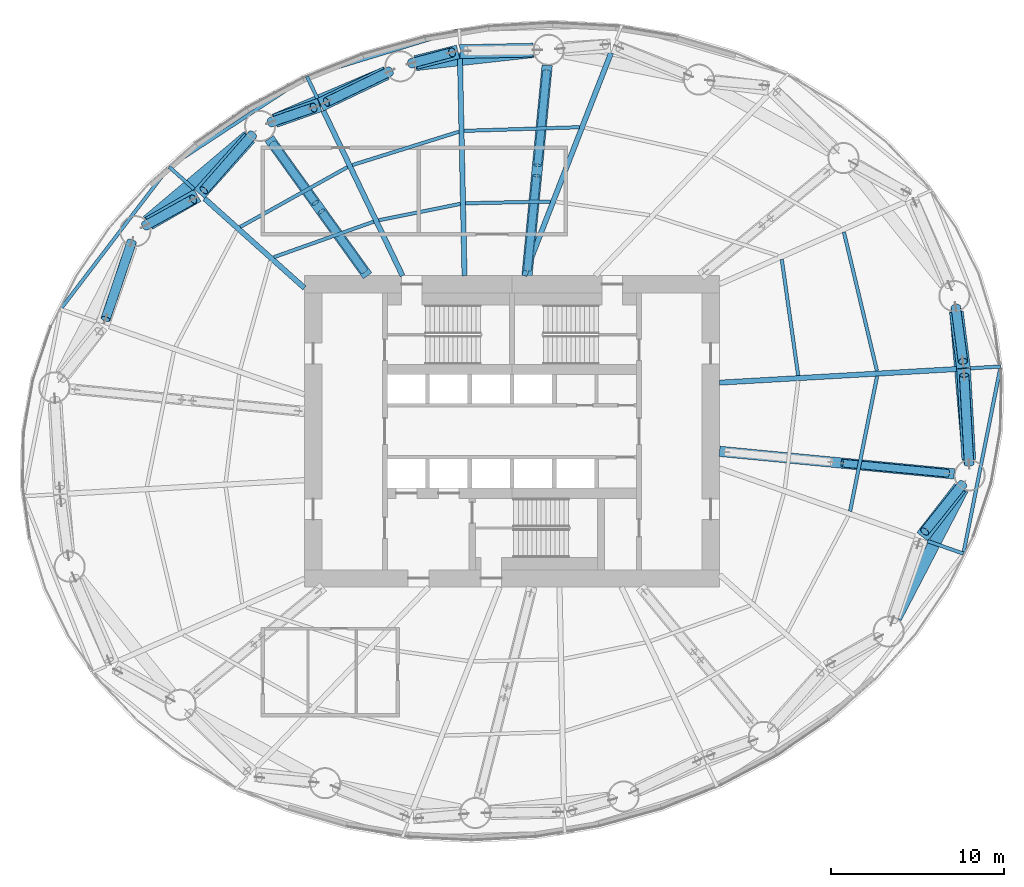
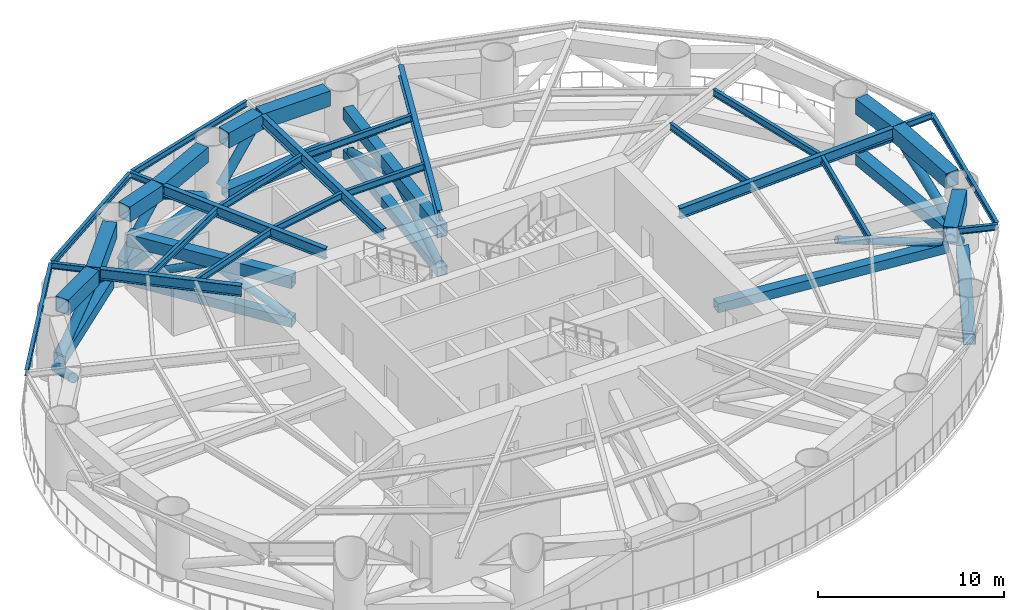
# One storey, part 3 of 15: 33 members, 22 beams.
"""IFC4 building model written with IfcOpenShell, lengths in metres."""

from ifc_helpers import new_model, si_unit, direction, frame, origin, origin_2d, place, context, subcontext, project, spatial, hollow_rectangle, hollow_circle, i_section, extrude, material, material_profile, profile_set, type_object, element, save


model = new_model("IFC4")

# Units and contexts
model_context = context("Model", 3, precision=1e-05, world=origin(), true_north=direction((0.0, 1.0)))
body_context = subcontext(model_context, "Body", "Model", "MODEL_VIEW")
ifc_project = project(units=[si_unit("LENGTHUNIT", "METRE"), si_unit("AREAUNIT", "SQUARE_METRE"), si_unit("VOLUMEUNIT", "CUBIC_METRE"), si_unit("PLANEANGLEUNIT", "RADIAN"), si_unit("MASSUNIT", "GRAM", prefix="KILO")], contexts=[model_context])

# Site, building, storey
site_placement = place(None, origin())
site = spatial("IfcSite", under=ifc_project, at=site_placement, CompositionType="ELEMENT")
building_placement = place(site_placement, origin())
building = spatial("IfcBuilding", under=site, at=building_placement, Name="Vermilion Reach Broadcast Tower", CompositionType="ELEMENT")
storey_placement = place(building_placement, frame((0.0, 0.0, 84.10009765625)))
storey = spatial("IfcBuildingStorey", under=building, at=storey_placement, Name="L18", CompositionType="ELEMENT", Elevation=84.10009765625)

# Members
ifc_material_1 = material(Name="Steel S460NL", Category="steel")
ifc_material_profile_1 = material_profile(ifc_material_1, hollow_rectangle(XDim=0.699951171875, YDim=0.699951171875, WallThickness=0.034912109375, at=origin_2d()), Name="S460NL BOX 700x700x35")
ifc_profile_set_1 = profile_set([ifc_material_profile_1], Name="Steel S460NL")
member_type_1 = type_object("IfcMemberType", Name="BT1-BC BOX 700x700x35", PredefinedType="CHORD", material=ifc_profile_set_1)
member_1_placement = place(storey_placement, frame((-4.77392578125, 21.964111328125, 0.349853515625), z_axis=(-0.993851439324, -0.110721798009, 0.0), x_axis=(0.110721798009, -0.993851439324, 0.0)))
element("IfcMember", 1, at=member_1_placement, inside=storey, type_object=member_type_1, Name="Belt truss bottom chord BT1-BC04", PredefinedType="CHORD", context=body_context, shape_type="SweptSolid", body=[
    extrude(hollow_rectangle(XDim=0.699951171875, YDim=0.699951171875, WallThickness=0.034912109375, at=origin_2d()), origin(), (0.0, 0.0, 1.0), 6.8310546875),
])
member_2_placement = place(storey_placement, frame((-13.28564453125, 20.755859375, 0.349853515625), z_axis=(-0.920220846584, -0.391399531825, 0.0), x_axis=(0.391399531825, -0.920220846584, 0.0)))
element("IfcMember", 2, at=member_2_placement, inside=storey, type_object=member_type_1, Name="Belt truss bottom chord BT1-BC05", PredefinedType="CHORD", context=body_context, shape_type="SweptSolid", body=[
    extrude(hollow_rectangle(XDim=0.699951171875, YDim=0.699951171875, WallThickness=0.034912109375, at=origin_2d()), origin(), (0.0, 0.0, 1.0), 7.008544921875),
])
member_3_placement = place(storey_placement, frame((-21.251220703125, 17.080322265625, 0.349853515625), z_axis=(-0.764512441084, -0.6446089725, 0.0), x_axis=(0.6446089725, -0.764512441084, 0.0)))
element("IfcMember", 3, at=member_3_placement, inside=storey, type_object=member_type_1, Name="Belt truss bottom chord BT1-BC06", PredefinedType="CHORD", context=body_context, shape_type="SweptSolid", body=[
    extrude(hollow_rectangle(XDim=0.699951171875, YDim=0.699951171875, WallThickness=0.034912109375, at=origin_2d()), origin(), (0.0, 0.0, 1.0), 7.6396484375),
])
member_4_placement = place(storey_placement, frame((16.194091796875, -10.776611328125, 0.349853515625), z_axis=(0.460411617218, 0.887705549566, 0.0), x_axis=(-0.887705549566, 0.460411617218, 0.0)))
element("IfcMember", 4, at=member_4_placement, inside=storey, type_object=member_type_1, Name="Belt truss bottom chord BT1-BC15", PredefinedType="CHORD", context=body_context, shape_type="SweptSolid", body=[
    extrude(hollow_rectangle(XDim=0.699951171875, YDim=0.699951171875, WallThickness=0.034912109375, at=origin_2d()), origin(), (0.0, 0.0, 1.0), 8.37451171875),
])
member_5_placement = place(storey_placement, frame((20.38720703125, -1.646728515625, 0.349853515625), z_axis=(-0.085395508608, 0.996347131832, 0.0), x_axis=(-0.996347131832, -0.085395508608, 0.0)))
element("IfcMember", 5, at=member_5_placement, inside=storey, type_object=member_type_1, Name="Belt truss bottom chord BT1-BC16", PredefinedType="CHORD", context=body_context, shape_type="SweptSolid", body=[
    extrude(hollow_rectangle(XDim=0.699951171875, YDim=0.699951171875, WallThickness=0.034912109375, at=origin_2d()), origin(), (0.0, 0.0, 1.0), 8.60546875),
])
ifc_material_2 = material(Name="Steel S355J2H", Category="steel")
ifc_material_profile_2 = material_profile(ifc_material_2, hollow_circle(Radius=0.279541015625, WallThickness=0.02490234375, at=origin_2d()), Name="S355J2H CHS 559x25")
ifc_profile_set_2 = profile_set([ifc_material_profile_2], Name="Steel S355J2H")
member_type_2 = type_object("IfcMemberType", Name="BT1-D CHS 559x25", PredefinedType="BRACE", material=ifc_profile_set_2)
member_6_placement = place(storey_placement, frame((-11.82958984375, 21.276611328125, 0.7998046875), z_axis=(0.670470909418, 0.179880751675, 0.719799746319), x_axis=(-0.259126298483, 0.965843445614, 0.0)))
element("IfcMember", 6, at=member_6_placement, inside=storey, type_object=member_type_2, Name="Belt truss diagonal BT1-D04B", PredefinedType="BRACE", context=body_context, shape_type="SweptSolid", body=[
    extrude(hollow_circle(Radius=0.279541015625, WallThickness=0.02490234375, at=origin_2d()), origin(), (0.0, 0.0, 1.0), 3.52880859375),
])
member_7_placement = place(storey_placement, frame((-13.04248046875, 20.82470703125, 0.7998046875), z_axis=(-0.764989537985, -0.37059718187, 0.526734027346), x_axis=(0.43598121747, -0.899955764476, 0.0)))
element("IfcMember", 7, at=member_7_placement, inside=storey, type_object=member_type_2, Name="Belt truss diagonal BT1-D05A", PredefinedType="BRACE", context=body_context, shape_type="SweptSolid", body=[
    extrude(hollow_circle(Radius=0.279541015625, WallThickness=0.02490234375, at=origin_2d()), origin(), (0.0, 0.0, 1.0), 4.822265625),
])
member_8_placement = place(storey_placement, frame((-19.948486328125, 17.87158203125, 0.7998046875), z_axis=(0.679369747183, 0.233610658071, 0.695616853626), x_axis=(-0.325176003768, 0.94565351296, 0.0)))
element("IfcMember", 8, at=member_8_placement, inside=storey, type_object=member_type_2, Name="Belt truss diagonal BT1-D05B", PredefinedType="BRACE", context=body_context, shape_type="SweptSolid", body=[
    extrude(hollow_circle(Radius=0.279541015625, WallThickness=0.02490234375, at=origin_2d()), origin(), (0.0, 0.0, 1.0), 3.651611328125),
])
member_9_placement = place(storey_placement, frame((-20.9912109375, 17.171142578125, 0.7998046875), z_axis=(-0.566834456131, -0.647636017785, 0.50918197907), x_axis=(0.752488623405, -0.658605247206, 0.0)))
element("IfcMember", 9, at=member_9_placement, inside=storey, type_object=member_type_2, Name="Belt truss diagonal BT1-D06A", PredefinedType="BRACE", context=body_context, shape_type="SweptSolid", body=[
    extrude(hollow_circle(Radius=0.279541015625, WallThickness=0.02490234375, at=origin_2d()), origin(), (0.0, 0.0, 1.0), 4.988525390625),
])
member_10_placement = place(storey_placement, frame((-27.210693359375, 11.889892578125, 0.7998046875), z_axis=(0.683675941007, 0.377438588085, 0.624601729034), x_axis=(-0.483311033101, 0.875448710824, 0.0)))
element("IfcMember", 10, at=member_10_placement, inside=storey, type_object=member_type_2, Name="Belt truss diagonal BT1-D06B", PredefinedType="BRACE", context=body_context, shape_type="SweptSolid", body=[
    extrude(hollow_circle(Radius=0.279541015625, WallThickness=0.02490234375, at=origin_2d()), origin(), (0.0, 0.0, 1.0), 4.066650390625),
])
member_11_placement = place(storey_placement, frame((-27.98779296875, 10.9599609375, 0.7998046875), z_axis=(-0.281685491613, -0.833736105056, 0.474907770983), x_axis=(0.947389095401, -0.320084210661, 0.0)))
element("IfcMember", 11, at=member_11_placement, inside=storey, type_object=member_type_2, Name="Belt truss diagonal BT1-D07A", PredefinedType="BRACE", context=body_context, shape_type="SweptSolid", body=[
    extrude(hollow_circle(Radius=0.279541015625, WallThickness=0.02490234375, at=origin_2d()), origin(), (0.0, 0.0, 1.0), 5.348388671875),
])
member_12_placement = place(storey_placement, frame((20.0576171875, -3.05078125, 0.7998046875), z_axis=(-0.506513804906, -0.632325298383, 0.586181270995), x_axis=(0.780475145905, -0.625186809381, 0.0)))
element("IfcMember", 12, at=member_12_placement, inside=storey, type_object=member_type_2, Name="Belt truss diagonal BT1-D15B", PredefinedType="BRACE", context=body_context, shape_type="SweptSolid", body=[
    extrude(hollow_circle(Radius=0.279541015625, WallThickness=0.02490234375, at=origin_2d()), origin(), (0.0, 0.0, 1.0), 4.333251953125),
])
member_13_placement = place(storey_placement, frame((20.42822265625, -1.89453125, 0.7998046875), z_axis=(-0.049658747066, 0.895473057106, 0.44233699013), x_axis=(-0.99846589108, -0.055370247877, 0.0)))
element("IfcMember", 13, at=member_13_placement, inside=storey, type_object=member_type_2, Name="Belt truss diagonal BT1-D16A", PredefinedType="BRACE", context=body_context, shape_type="SweptSolid", body=[
    extrude(hollow_circle(Radius=0.279541015625, WallThickness=0.02490234375, at=origin_2d()), origin(), (0.0, 0.0, 1.0), 5.742431640625),
])
member_14_placement = place(storey_placement, frame((19.660400390625, 7.1796875, 0.7998046875), z_axis=(0.102144749126, -0.772917338556, 0.626230978143), x_axis=(0.991380295991, 0.131015681201, 0.0)))
element("IfcMember", 14, at=member_14_placement, inside=storey, type_object=member_type_2, Name="Belt truss diagonal BT1-D16B", PredefinedType="BRACE", context=body_context, shape_type="SweptSolid", body=[
    extrude(hollow_circle(Radius=0.279541015625, WallThickness=0.02490234375, at=origin_2d()), origin(), (0.0, 0.0, 1.0), 4.05615234375),
])
ifc_material_3 = material(Name="Steel S460NL", Category="steel")
ifc_material_profile_3 = material_profile(ifc_material_3, hollow_rectangle(XDim=0.800048828125, YDim=1.0, WallThickness=0.0400390625, at=origin_2d()), Name="S460NL BOX 800x1000x40")
ifc_profile_set_3 = profile_set([ifc_material_profile_3], Name="Steel S460NL")
member_type_3 = type_object("IfcMemberType", Name="BT1-TC BOX 800x1000x40", PredefinedType="CHORD", material=ifc_profile_set_3)
member_15_placement = place(storey_placement, frame((-4.7890625, 22.044921875, 3.849853515625), z_axis=(-0.999782705863, -0.020845648424, 0.0), x_axis=(0.020845648424, -0.999782705863, 0.0)))
element("IfcMember", 15, at=member_15_placement, inside=storey, type_object=member_type_3, Name="Belt truss top chord BT1-TC07", PredefinedType="CHORD", context=body_context, shape_type="SweptSolid", body=[
    extrude(hollow_rectangle(XDim=0.800048828125, YDim=1.0, WallThickness=0.0400390625, at=origin_2d()), origin(), (0.0, 0.0, 1.0), 4.22802734375),
])
member_16_placement = place(storey_placement, frame((-9.11474609375, 21.943603515625, 3.849853515625), z_axis=(-0.970159490778, -0.242467652385, 0.0), x_axis=(0.242467652385, -0.970159490778, 0.0)))
element("IfcMember", 16, at=member_16_placement, inside=storey, type_object=member_type_3, Name="Belt truss top chord BT1-TC08", PredefinedType="CHORD", context=body_context, shape_type="SweptSolid", body=[
    extrude(hollow_rectangle(XDim=0.800048828125, YDim=1.0, WallThickness=0.0400390625, at=origin_2d()), origin(), (0.0, 0.0, 1.0), 2.535400390625),
])
member_17_placement = place(storey_placement, frame((-13.27783203125, 20.714599609375, 3.849853515625), z_axis=(-0.901599924003, -0.4325708925, 0.0), x_axis=(0.4325708925, -0.901599924003, 0.0)))
element("IfcMember", 17, at=member_17_placement, inside=storey, type_object=member_type_3, Name="Belt truss top chord BT1-TC09", PredefinedType="CHORD", context=body_context, shape_type="SweptSolid", body=[
    extrude(hollow_rectangle(XDim=0.800048828125, YDim=1.0, WallThickness=0.0400390625, at=origin_2d()), origin(), (0.0, 0.0, 1.0), 4.212158203125),
])
member_18_placement = place(storey_placement, frame((-17.124755859375, 18.872314453125, 3.849853515625), z_axis=(-0.943136863934, -0.332404656841, 0.0), x_axis=(0.332404656841, -0.943136863934, 0.0)))
element("IfcMember", 18, at=member_18_placement, inside=storey, type_object=member_type_3, Name="Belt truss top chord BT1-TC10", PredefinedType="CHORD", context=body_context, shape_type="SweptSolid", body=[
    extrude(hollow_rectangle(XDim=0.800048828125, YDim=1.0, WallThickness=0.0400390625, at=origin_2d()), origin(), (0.0, 0.0, 1.0), 2.73583984375),
])
member_19_placement = place(storey_placement, frame((-21.170166015625, 16.982421875, 3.849853515625), z_axis=(-0.667028891454, -0.745031850302, 0.0), x_axis=(0.745031850302, -0.667028891454, 0.0)))
element("IfcMember", 19, at=member_19_placement, inside=storey, type_object=member_type_3, Name="Belt truss top chord BT1-TC11", PredefinedType="CHORD", context=body_context, shape_type="SweptSolid", body=[
    extrude(hollow_rectangle(XDim=0.800048828125, YDim=1.0, WallThickness=0.0400390625, at=origin_2d()), origin(), (0.0, 0.0, 1.0), 4.35986328125),
])
member_20_placement = place(storey_placement, frame((-24.184326171875, 13.648193359375, 3.849853515625), z_axis=(-0.866363659243, -0.499413666156, 0.0), x_axis=(0.499413666156, -0.866363659243, 0.0)))
element("IfcMember", 20, at=member_20_placement, inside=storey, type_object=member_type_3, Name="Belt truss top chord BT1-TC12", PredefinedType="CHORD", context=body_context, shape_type="SweptSolid", body=[
    extrude(hollow_rectangle(XDim=0.800048828125, YDim=1.0, WallThickness=0.0400390625, at=origin_2d()), origin(), (0.0, 0.0, 1.0), 3.240234375),
])
member_21_placement = place(storey_placement, frame((17.721435546875, -6.09033203125, 3.849853515625), z_axis=(0.611729400158, 0.791067090064, 0.0), x_axis=(-0.791067090064, 0.611729400158, 0.0)))
element("IfcMember", 21, at=member_21_placement, inside=storey, type_object=member_type_3, Name="Belt truss top chord BT1-TC30", PredefinedType="CHORD", context=body_context, shape_type="SweptSolid", body=[
    extrude(hollow_rectangle(XDim=0.800048828125, YDim=1.0, WallThickness=0.0400390625, at=origin_2d()), origin(), (0.0, 0.0, 1.0), 3.573486328125),
])
member_22_placement = place(storey_placement, frame((20.412109375, -1.635009765625, 3.849853515625), z_axis=(-0.057342625161, 0.99835455793, 0.0), x_axis=(-0.99835455793, -0.057342625161, 0.0)))
element("IfcMember", 22, at=member_22_placement, inside=storey, type_object=member_type_3, Name="Belt truss top chord BT1-TC31", PredefinedType="CHORD", context=body_context, shape_type="SweptSolid", body=[
    extrude(hollow_rectangle(XDim=0.800048828125, YDim=1.0, WallThickness=0.0400390625, at=origin_2d()), origin(), (0.0, 0.0, 1.0), 5.27099609375),
])
member_23_placement = place(storey_placement, frame((20.1064453125, 3.664794921875, 3.849853515625), z_axis=(-0.126642784714, 0.991948388315, 0.0), x_axis=(-0.991948388315, -0.126642784714, 0.0)))
element("IfcMember", 23, at=member_23_placement, inside=storey, type_object=member_type_3, Name="Belt truss top chord BT1-TC32", PredefinedType="CHORD", context=body_context, shape_type="SweptSolid", body=[
    extrude(hollow_rectangle(XDim=0.800048828125, YDim=1.0, WallThickness=0.0400390625, at=origin_2d()), origin(), (0.0, 0.0, 1.0), 3.282958984375),
])

# Beams
ifc_material_4 = material(Name="Steel S355J2", Category="steel")
ifc_material_profile_4 = material_profile(ifc_material_4, i_section(OverallWidth=0.199951171875, OverallDepth=0.39990234375, WebThickness=0.008056640625, FlangeThickness=0.012939453125, at=origin_2d()), Name="S355J2 HN 400x200x8x13")
ifc_profile_set_4 = profile_set([ifc_material_profile_4], Name="Steel S355J2")
beam_type_1 = type_object("IfcBeamType", Name="EB2 HN 400x200x8x13", PredefinedType="BEAM", material=ifc_profile_set_4)
beam_1_placement = place(storey_placement, frame((-9.11669921875, 23.1787109375, 4.14990234375), z_axis=(-0.956574319511, -0.291488543947, 0.0), x_axis=(0.291488543947, -0.956574319511, 0.0)))
element("IfcBeam", 24, at=beam_1_placement, inside=storey, type_object=beam_type_1, Name="Edge beam EB2-04", PredefinedType="BEAM", context=body_context, shape_type="SweptSolid", body=[
    extrude(i_section(OverallWidth=0.199951171875, OverallDepth=0.39990234375, WebThickness=0.008056640625, FlangeThickness=0.012939453125, at=origin_2d()), origin(), (0.0, 0.0, 1.0), 9.033203125),
])
beam_2_placement = place(storey_placement, frame((-17.938720703125, 20.4609375, 4.14990234375), z_axis=(-0.836440015471, -0.548058482755, 0.0), x_axis=(0.548058482755, -0.836440015471, 0.0)))
element("IfcBeam", 25, at=beam_2_placement, inside=storey, type_object=beam_type_1, Name="Edge beam EB2-05", PredefinedType="BEAM", context=body_context, shape_type="SweptSolid", body=[
    extrude(i_section(OverallWidth=0.199951171875, OverallDepth=0.39990234375, WebThickness=0.008056640625, FlangeThickness=0.012939453125, at=origin_2d()), origin(), (0.0, 0.0, 1.0), 9.32177734375),
])
beam_3_placement = place(storey_placement, frame((-25.883056640625, 15.215576171875, 4.14990234375), z_axis=(-0.60654123634, -0.795052028875, 0.0), x_axis=(0.795052028875, -0.60654123634, 0.0)))
element("IfcBeam", 26, at=beam_3_placement, inside=storey, type_object=beam_type_1, Name="Edge beam EB2-06", PredefinedType="BEAM", context=body_context, shape_type="SweptSolid", body=[
    extrude(i_section(OverallWidth=0.199951171875, OverallDepth=0.39990234375, WebThickness=0.008056640625, FlangeThickness=0.012939453125, at=origin_2d()), origin(), (0.0, 0.0, 1.0), 10.14453125),
])
beam_4_placement = place(storey_placement, frame((20.11962890625, -6.967529296875, 4.14990234375), z_axis=(0.195053344977, 0.980792634869, 0.0), x_axis=(-0.980792634869, 0.195053344977, 0.0)))
element("IfcBeam", 27, at=beam_4_placement, inside=storey, type_object=beam_type_1, Name="Edge beam EB2-15", PredefinedType="BEAM", context=body_context, shape_type="SweptSolid", body=[
    extrude(i_section(OverallWidth=0.199951171875, OverallDepth=0.39990234375, WebThickness=0.008056640625, FlangeThickness=0.012939453125, at=origin_2d()), origin(), (0.0, 0.0, 1.0), 10.824462890625),
])
ifc_material_5 = material(Name="Steel S355J2", Category="steel")
ifc_material_profile_5 = material_profile(ifc_material_5, i_section(OverallWidth=0.300048828125, OverallDepth=0.699951171875, WebThickness=0.012939453125, FlangeThickness=0.02392578125, at=origin_2d()), Name="S355J2 HN 700x300x13x24")
ifc_profile_set_5 = profile_set([ifc_material_profile_5], Name="Steel S355J2")
beam_type_2 = type_object("IfcBeamType", Name="G2 HN 700x300x13x24", PredefinedType="BEAM", material=ifc_profile_set_5)
beam_5_placement = place(storey_placement, frame((-5.2890625, 9.0, 4.0), z_axis=(0.362782729277, 0.931873752897, 0.0), x_axis=(-0.931873752897, 0.362782729277, 0.0)))
element("IfcBeam", 28, at=beam_5_placement, inside=storey, type_object=beam_type_2, Name="Girder G2-03", PredefinedType="BEAM", context=body_context, shape_type="SweptSolid", body=[
    extrude(i_section(OverallWidth=0.300048828125, OverallDepth=0.699951171875, WebThickness=0.012939453125, FlangeThickness=0.02392578125, at=origin_2d()), origin(), (0.0, 0.0, 1.0), 13.830078125),
])
beam_6_placement = place(storey_placement, frame((-8.745849609375, 9.0, 4.0), z_axis=(-0.02085755404, 0.999782457557, 0.0), x_axis=(-0.999782457557, -0.02085755404, 0.0)))
element("IfcBeam", 29, at=beam_6_placement, inside=storey, type_object=beam_type_2, Name="Girder G2-04", PredefinedType="BEAM", context=body_context, shape_type="SweptSolid", body=[
    extrude(i_section(OverallWidth=0.300048828125, OverallDepth=0.699951171875, WebThickness=0.012939453125, FlangeThickness=0.02392578125, at=origin_2d()), origin(), (0.0, 0.0, 1.0), 12.5595703125),
])
beam_7_placement = place(storey_placement, frame((-12.329833984375, 9.0, 4.0), z_axis=(-0.432531358319, 0.901618890702, 0.0), x_axis=(-0.901618890702, -0.432531358319, 0.0)))
element("IfcBeam", 30, at=beam_7_placement, inside=storey, type_object=beam_type_2, Name="Girder G2-05", PredefinedType="BEAM", context=body_context, shape_type="SweptSolid", body=[
    extrude(i_section(OverallWidth=0.300048828125, OverallDepth=0.699951171875, WebThickness=0.012939453125, FlangeThickness=0.02392578125, at=origin_2d()), origin(), (0.0, 0.0, 1.0), 10.572021484375),
])
beam_8_placement = place(storey_placement, frame((-18.0, 8.2919921875, 4.0), z_axis=(-0.745033065575, 0.667027534065, 0.0), x_axis=(-0.667027534065, -0.745033065575, 0.0)))
element("IfcBeam", 31, at=beam_8_placement, inside=storey, type_object=beam_type_2, Name="Girder G2-06", PredefinedType="BEAM", context=body_context, shape_type="SweptSolid", body=[
    extrude(i_section(OverallWidth=0.300048828125, OverallDepth=0.699951171875, WebThickness=0.012939453125, FlangeThickness=0.02392578125, at=origin_2d()), origin(), (0.0, 0.0, 1.0), 7.7587890625),
])
beam_9_placement = place(storey_placement, frame((6.0, 2.8173828125, 4.0), z_axis=(0.998357215191, 0.057296342609, 0.0), x_axis=(-0.057296342609, 0.998357215191, 0.0)))
element("IfcBeam", 32, at=beam_9_placement, inside=storey, type_object=beam_type_2, Name="Girder G2-16", PredefinedType="BEAM", context=body_context, shape_type="SweptSolid", body=[
    extrude(i_section(OverallWidth=0.300048828125, OverallDepth=0.699951171875, WebThickness=0.012939453125, FlangeThickness=0.02392578125, at=origin_2d()), origin(), (0.0, 0.0, 1.0), 13.733154296875),
])
ifc_material_6 = material(Name="Steel S355J2", Category="steel")
ifc_material_profile_6 = material_profile(ifc_material_6, i_section(OverallWidth=0.199951171875, OverallDepth=0.39990234375, WebThickness=0.008056640625, FlangeThickness=0.012939453125, at=origin_2d()), Name="S355J2 HN 400x200x8x13")
ifc_profile_set_6 = profile_set([ifc_material_profile_6], Name="Steel S355J2")
beam_type_3 = type_object("IfcBeamType", Name="GC2 HN 400x200x8x13", PredefinedType="BEAM", material=ifc_profile_set_6)
beam_10_placement = place(storey_placement, frame((-17.24853515625, 19.253173828125, 4.14990234375), z_axis=(-0.432583743936, 0.90159375801, 0.0), x_axis=(-0.90159375801, -0.432583743936, 0.0)))
element("IfcBeam", 33, at=beam_10_placement, inside=storey, type_object=beam_type_3, Name="Cantilever girder GC2-05", PredefinedType="BEAM", context=body_context, shape_type="SweptSolid", body=[
    extrude(i_section(OverallWidth=0.199951171875, OverallDepth=0.39990234375, WebThickness=0.008056640625, FlangeThickness=0.012939453125, at=origin_2d()), origin(), (0.0, 0.0, 1.0), 1.40087890625),
])
beam_11_placement = place(storey_placement, frame((-24.37646484375, 14.0009765625, 4.14990234375), z_axis=(-0.745030694334, 0.6670301826, 0.0), x_axis=(-0.6670301826, -0.745030694334, 0.0)))
element("IfcBeam", 34, at=beam_11_placement, inside=storey, type_object=beam_type_3, Name="Cantilever girder GC2-06", PredefinedType="BEAM", context=body_context, shape_type="SweptSolid", body=[
    extrude(i_section(OverallWidth=0.199951171875, OverallDepth=0.39990234375, WebThickness=0.008056640625, FlangeThickness=0.012939453125, at=origin_2d()), origin(), (0.0, 0.0, 1.0), 1.940673828125),
])
beam_12_placement = place(storey_placement, frame((18.033203125, -6.34375, 4.14990234375), z_axis=(0.943931340086, -0.330141825891, 0.0), x_axis=(0.330141825891, 0.943931340086, 0.0)))
element("IfcBeam", 35, at=beam_12_placement, inside=storey, type_object=beam_type_3, Name="Cantilever girder GC2-15", PredefinedType="BEAM", context=body_context, shape_type="SweptSolid", body=[
    extrude(i_section(OverallWidth=0.199951171875, OverallDepth=0.39990234375, WebThickness=0.008056640625, FlangeThickness=0.012939453125, at=origin_2d()), origin(), (0.0, 0.0, 1.0), 2.189697265625),
])
beam_13_placement = place(storey_placement, frame((20.50927734375, 3.650146484375, 4.14990234375), z_axis=(0.998353067309, 0.057368571492, 0.0), x_axis=(-0.057368571492, 0.998353067309, 0.0)))
element("IfcBeam", 36, at=beam_13_placement, inside=storey, type_object=beam_type_3, Name="Cantilever girder GC2-16", PredefinedType="BEAM", context=body_context, shape_type="SweptSolid", body=[
    extrude(i_section(OverallWidth=0.199951171875, OverallDepth=0.39990234375, WebThickness=0.008056640625, FlangeThickness=0.012939453125, at=origin_2d()), origin(), (0.0, 0.0, 1.0), 1.744873046875),
])

# Members
ifc_material_7 = material(Name="Steel S460NL", Category="steel")
ifc_material_profile_7 = material_profile(ifc_material_7, hollow_rectangle(XDim=0.60009765625, YDim=0.60009765625, WallThickness=0.030029296875, at=origin_2d()), Name="S460NL BOX 600x600x30")
ifc_profile_set_7 = profile_set([ifc_material_profile_7], Name="Steel S460NL")
member_type_4 = type_object("IfcMemberType", Name="OR1-BC BOX 600x600x30", PredefinedType="CHORD", material=ifc_profile_set_7)
member_24_placement = place(storey_placement, frame((-5.135009765625, 9.0, 0.2998046875), z_axis=(0.09566673912, 0.995413419151, 0.0), x_axis=(-0.995413419151, 0.09566673912, 0.0)))
element("IfcMember", 37, at=member_24_placement, inside=storey, type_object=member_type_4, Name="Outrigger bottom chord OR1-04", PredefinedType="CHORD", context=body_context, shape_type="SweptSolid", body=[
    extrude(hollow_rectangle(XDim=0.60009765625, YDim=0.60009765625, WallThickness=0.030029296875, at=origin_2d()), origin(), (0.0, 0.0, 1.0), 12.22412109375),
])
member_25_placement = place(storey_placement, frame((-14.35009765625, 9.0, 0.2998046875), z_axis=(-0.582917211268, 0.812531553115, 0.0), x_axis=(-0.812531553115, -0.582917211268, 0.0)))
element("IfcMember", 38, at=member_25_placement, inside=storey, type_object=member_type_4, Name="Outrigger bottom chord OR1-06", PredefinedType="CHORD", context=body_context, shape_type="SweptSolid", body=[
    extrude(hollow_rectangle(XDim=0.60009765625, YDim=0.60009765625, WallThickness=0.030029296875, at=origin_2d()), origin(), (0.0, 0.0, 1.0), 9.758544921875),
])
member_26_placement = place(storey_placement, frame((6.0, -1.1533203125, 0.2998046875), z_axis=(0.995412178872, -0.095679643363, 0.0), x_axis=(0.095679643363, 0.995412178872, 0.0)))
element("IfcMember", 39, at=member_26_placement, inside=storey, type_object=member_type_4, Name="Outrigger bottom chord OR1-16", PredefinedType="CHORD", context=body_context, shape_type="SweptSolid", body=[
    extrude(hollow_rectangle(XDim=0.60009765625, YDim=0.60009765625, WallThickness=0.030029296875, at=origin_2d()), origin(), (0.0, 0.0, 1.0), 13.630859375),
])
ifc_material_8 = material(Name="Steel S355J2H", Category="steel")
ifc_material_profile_8 = material_profile(ifc_material_8, hollow_circle(Radius=0.228515625, WallThickness=0.02001953125, at=origin_2d()), Name="S355J2H CHS 457x20")
ifc_profile_set_8 = profile_set([ifc_material_profile_8], Name="Steel S355J2H")
member_type_5 = type_object("IfcMemberType", Name="OR1-D CHS 457x20", PredefinedType="BRACE", material=ifc_profile_set_8)
for number, where, z_axis, x_axis, name in (
    (40, (-5.1015625, 9.348388671875, 0.599853515625), (0.090126084202, 0.937462818857, 0.336215336067), (-0.995410503062, 0.095697076204, 0.0), "Outrigger diagonal OR1-04-DA"),
    (41, (-3.9990234375, 20.819580078125, 0.599853515625), (-0.09008433057, -0.937466374674, 0.336216611339), (0.995414759872, -0.095652787882, 0.0), "Outrigger diagonal OR1-04-DB"),
):
    element("IfcMember", number, at=place(storey_placement, frame(where, z_axis=z_axis, x_axis=x_axis)), inside=storey, type_object=member_type_5, Name=name, PredefinedType="BRACE", context=body_context, shape_type="SweptSolid", body=[
        extrude(hollow_circle(Radius=0.228515625, WallThickness=0.02001953125, at=origin_2d()), origin(), (0.0, 0.0, 1.0), 5.7998046875),
    ])
for number, where, z_axis, x_axis, name in (
    (42, (-14.553955078125, 9.284423828125, 0.599853515625), (-0.529413177318, 0.737844387637, 0.41869720242), (-0.812491292835, -0.582973326205, 0.0), "Outrigger diagonal OR1-06-DA"),
    (43, (-19.83447265625, 16.644775390625, 0.599853515625), (0.529354969587, -0.737888745485, 0.41869262647), (0.81253825063, 0.582907875452, 0.0), "Outrigger diagonal OR1-06-DB"),
):
    element("IfcMember", number, at=place(storey_placement, frame(where, z_axis=z_axis, x_axis=x_axis)), inside=storey, type_object=member_type_5, Name=name, PredefinedType="BRACE", context=body_context, shape_type="SweptSolid", body=[
        extrude(hollow_circle(Radius=0.228515625, WallThickness=0.02001953125, at=origin_2d()), origin(), (0.0, 0.0, 1.0), 4.6572265625),
    ])
member_27_placement = place(storey_placement, frame((19.219970703125, -2.424072265625, 0.599853515625), z_axis=(-0.949074811329, 0.091252837098, 0.301545887425), x_axis=(-0.095707879522, -0.99540946439, 0.0)))
element("IfcMember", 44, at=member_27_placement, inside=storey, type_object=member_type_5, Name="Outrigger diagonal OR1-16-DB", PredefinedType="BRACE", context=body_context, shape_type="SweptSolid", body=[
    extrude(hollow_circle(Radius=0.228515625, WallThickness=0.02001953125, at=origin_2d()), origin(), (0.0, 0.0, 1.0), 6.466552734375),
])
ifc_material_9 = material(Name="Steel S460NL", Category="steel")
ifc_material_profile_9 = material_profile(ifc_material_9, hollow_rectangle(XDim=0.60009765625, YDim=0.800048828125, WallThickness=0.030029296875, at=origin_2d()), Name="S460NL BOX 600x800x30")
ifc_profile_set_9 = profile_set([ifc_material_profile_9], Name="Steel S460NL")
member_type_6 = type_object("IfcMemberType", Name="OR1-TC BOX 600x800x30", PredefinedType="CHORD", material=ifc_profile_set_9)
member_28_placement = place(storey_placement, frame((-5.135009765625, 9.0, 2.949951171875), z_axis=(0.09566673912, 0.995413419151, 0.0), x_axis=(-0.995413419151, 0.09566673912, 0.0)))
element("IfcMember", 45, at=member_28_placement, inside=storey, type_object=member_type_6, Name="Outrigger top chord OR1-04", PredefinedType="CHORD", context=body_context, shape_type="SweptSolid", body=[
    extrude(hollow_rectangle(XDim=0.60009765625, YDim=0.800048828125, WallThickness=0.030029296875, at=origin_2d()), origin(), (0.0, 0.0, 1.0), 12.22412109375),
])
member_29_placement = place(storey_placement, frame((-14.35009765625, 9.0, 2.949951171875), z_axis=(-0.582917211268, 0.812531553115, 0.0), x_axis=(-0.812531553115, -0.582917211268, 0.0)))
element("IfcMember", 46, at=member_29_placement, inside=storey, type_object=member_type_6, Name="Outrigger top chord OR1-06", PredefinedType="CHORD", context=body_context, shape_type="SweptSolid", body=[
    extrude(hollow_rectangle(XDim=0.60009765625, YDim=0.800048828125, WallThickness=0.030029296875, at=origin_2d()), origin(), (0.0, 0.0, 1.0), 9.758544921875),
])

# Beams
ifc_material_10 = material(Name="Steel S355J2", Category="steel")
ifc_material_profile_10 = material_profile(ifc_material_10, i_section(OverallWidth=0.199951171875, OverallDepth=0.449951171875, WebThickness=0.009033203125, FlangeThickness=0.013916015625, at=origin_2d()), Name="S355J2 HN 450x200x9x14")
ifc_profile_set_10 = profile_set([ifc_material_profile_10], Name="Steel S355J2")
beam_type_4 = type_object("IfcBeamType", Name="SB2 HN 450x200x9x14", PredefinedType="BEAM", material=ifc_profile_set_10)
beam_14_placement = place(storey_placement, frame((-3.77880859375, 13.29248046875, 4.125), z_axis=(-0.999776289961, -0.021151123661, 0.0), x_axis=(0.021151123661, -0.999776289961, 0.0)))
element("IfcBeam", 47, at=beam_14_placement, inside=storey, type_object=beam_type_4, Name="Secondary beam SB2-03-1", PredefinedType="BEAM", context=body_context, shape_type="SweptSolid", body=[
    extrude(i_section(OverallWidth=0.199951171875, OverallDepth=0.449951171875, WebThickness=0.009033203125, FlangeThickness=0.013916015625, at=origin_2d()), origin(), (0.0, 0.0, 1.0), 4.905517578125),
])
beam_15_placement = place(storey_placement, frame((-2.107177734375, 17.5869140625, 4.125), z_axis=(-0.999499310281, -0.031640618623, 0.0), x_axis=(0.031640618623, -0.999499310281, 0.0)))
element("IfcBeam", 48, at=beam_15_placement, inside=storey, type_object=beam_type_4, Name="Secondary beam SB2-03-2", PredefinedType="BEAM", context=body_context, shape_type="SweptSolid", body=[
    extrude(i_section(OverallWidth=0.199951171875, OverallDepth=0.449951171875, WebThickness=0.009033203125, FlangeThickness=0.013916015625, at=origin_2d()), origin(), (0.0, 0.0, 1.0), 6.666748046875),
])
beam_16_placement = place(storey_placement, frame((-8.982666015625, 13.155517578125, 4.125), z_axis=(-0.980426268801, -0.19688659539, 0.0), x_axis=(0.19688659539, -0.980426268801, 0.0)))
element("IfcBeam", 49, at=beam_16_placement, inside=storey, type_object=beam_type_4, Name="Secondary beam SB2-04-1", PredefinedType="BEAM", context=body_context, shape_type="SweptSolid", body=[
    extrude(i_section(OverallWidth=0.199951171875, OverallDepth=0.449951171875, WebThickness=0.009033203125, FlangeThickness=0.013916015625, at=origin_2d()), origin(), (0.0, 0.0, 1.0), 4.813720703125),
])
beam_17_placement = place(storey_placement, frame((-9.069580078125, 17.32470703125, 4.125), z_axis=(-0.954544536569, -0.298068327246, 0.0), x_axis=(0.298068327246, -0.954544536569, 0.0)))
element("IfcBeam", 50, at=beam_17_placement, inside=storey, type_object=beam_type_4, Name="Secondary beam SB2-04-2", PredefinedType="BEAM", context=body_context, shape_type="SweptSolid", body=[
    extrude(i_section(OverallWidth=0.199951171875, OverallDepth=0.449951171875, WebThickness=0.009033203125, FlangeThickness=0.013916015625, at=origin_2d()), origin(), (0.0, 0.0, 1.0), 6.45751953125),
])
beam_18_placement = place(storey_placement, frame((-13.99609375, 12.126708984375, 4.125), z_axis=(-0.942162385842, -0.335156737519, 0.0), x_axis=(0.335156737519, -0.942162385842, 0.0)))
element("IfcBeam", 51, at=beam_18_placement, inside=storey, type_object=beam_type_4, Name="Secondary beam SB2-05-1", PredefinedType="BEAM", context=body_context, shape_type="SweptSolid", body=[
    extrude(i_section(OverallWidth=0.199951171875, OverallDepth=0.449951171875, WebThickness=0.009033203125, FlangeThickness=0.013916015625, at=origin_2d()), origin(), (0.0, 0.0, 1.0), 6.1240234375),
])
beam_19_placement = place(storey_placement, frame((-15.509521484375, 15.281494140625, 4.125), z_axis=(-0.873296973304, -0.487188255624, 0.0), x_axis=(0.487188255624, -0.873296973304, 0.0)))
element("IfcBeam", 52, at=beam_19_placement, inside=storey, type_object=beam_type_4, Name="Secondary beam SB2-05-2", PredefinedType="BEAM", context=body_context, shape_type="SweptSolid", body=[
    extrude(i_section(OverallWidth=0.199951171875, OverallDepth=0.449951171875, WebThickness=0.009033203125, FlangeThickness=0.013916015625, at=origin_2d()), origin(), (0.0, 0.0, 1.0), 7.10595703125),
])
beam_20_placement = place(storey_placement, frame((13.54833984375, -4.61669921875, 4.125), z_axis=(0.196139724311, 0.980575957561, 0.0), x_axis=(-0.980575957561, 0.196139724311, 0.0)))
element("IfcBeam", 53, at=beam_20_placement, inside=storey, type_object=beam_type_4, Name="Secondary beam SB2-15-2", PredefinedType="BEAM", context=body_context, shape_type="SweptSolid", body=[
    extrude(i_section(OverallWidth=0.199951171875, OverallDepth=0.449951171875, WebThickness=0.009033203125, FlangeThickness=0.013916015625, at=origin_2d()), origin(), (0.0, 0.0, 1.0), 7.961181640625),
])
beam_21_placement = place(storey_placement, frame((10.549072265625, 3.228759765625, 4.125), z_axis=(-0.140120501058, 0.990134458133, 0.0), x_axis=(-0.990134458133, -0.140120501058, 0.0)))
element("IfcBeam", 54, at=beam_21_placement, inside=storey, type_object=beam_type_4, Name="Secondary beam SB2-16-1", PredefinedType="BEAM", context=body_context, shape_type="SweptSolid", body=[
    extrude(i_section(OverallWidth=0.199951171875, OverallDepth=0.449951171875, WebThickness=0.009033203125, FlangeThickness=0.013916015625, at=origin_2d()), origin(), (0.0, 0.0, 1.0), 6.779541015625),
])
beam_22_placement = place(storey_placement, frame((15.10498046875, 3.490234375, 4.125), z_axis=(-0.231677767479, 0.972792584293, 0.0), x_axis=(-0.972792584293, -0.231677767479, 0.0)))
element("IfcBeam", 55, at=beam_22_placement, inside=storey, type_object=beam_type_4, Name="Secondary beam SB2-16-2", PredefinedType="BEAM", context=body_context, shape_type="SweptSolid", body=[
    extrude(i_section(OverallWidth=0.199951171875, OverallDepth=0.449951171875, WebThickness=0.009033203125, FlangeThickness=0.013916015625, at=origin_2d()), origin(), (0.0, 0.0, 1.0), 8.264892578125),
])

save(model, "model.ifc")
